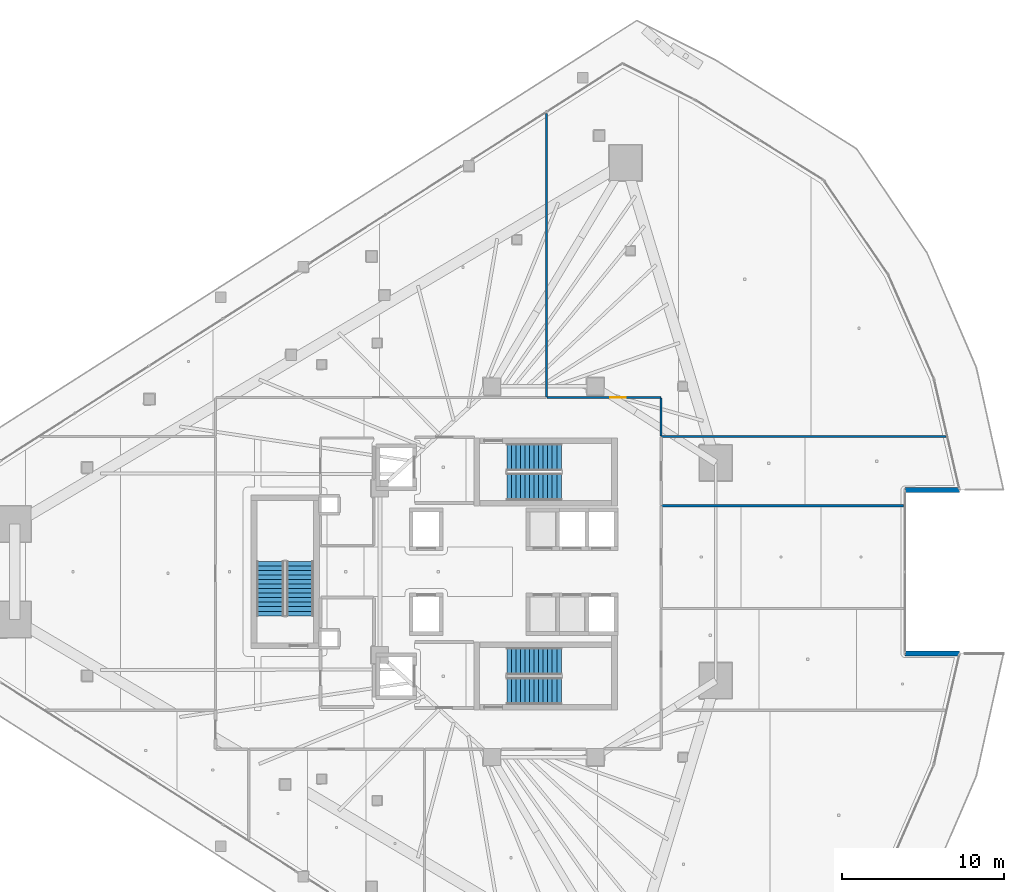
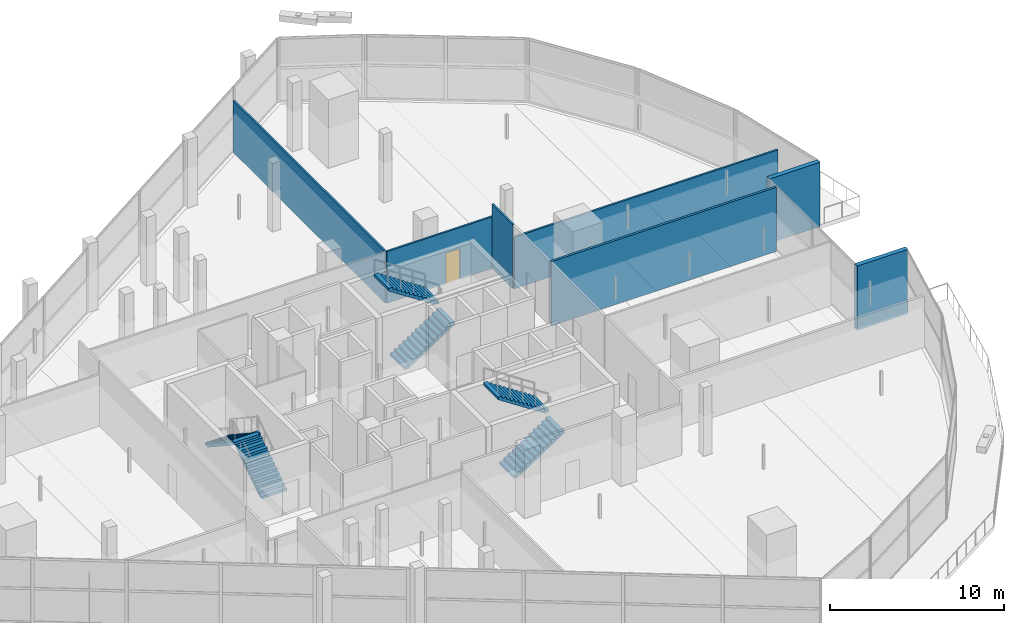
# One storey, part 28 of 42: 7 walls, 6 stair flights, 1 door, 1 opening, 3 elements without a shape of their own.
"""IFC4 building model written with IfcOpenShell, lengths in metres."""

from ifc_helpers import new_model, si_unit, direction, frame, frame_2d, origin, place, context, subcontext, project, spatial, polyline, rectangle, outline, extrude, material, layer, layer_set, type_object, element, fill, aggregate, save


model = new_model("IFC4")

# Units and contexts
model_context = context("Model", 3, precision=1e-05, world=origin(), true_north=direction((0.0, 1.0)))
body_context = subcontext(model_context, "Body", "Model", "MODEL_VIEW")
ifc_project = project(units=[si_unit("LENGTHUNIT", "METRE"), si_unit("AREAUNIT", "SQUARE_METRE"), si_unit("VOLUMEUNIT", "CUBIC_METRE"), si_unit("PLANEANGLEUNIT", "RADIAN"), si_unit("MASSUNIT", "GRAM", prefix="KILO")], contexts=[model_context])

# Site, building, storey
site_placement = place(None, origin())
site = spatial("IfcSite", under=ifc_project, at=site_placement, CompositionType="ELEMENT")
building_placement = place(site_placement, origin())
building = spatial("IfcBuilding", under=site, at=building_placement, Name="Qorvath Tower", CompositionType="ELEMENT")
storey_placement = place(building_placement, frame((0.0, 0.0, 105.0)))
storey = spatial("IfcBuildingStorey", under=building, at=storey_placement, Name="L23", CompositionType="ELEMENT", Elevation=105.0)

# Walls
ifc_material_1 = material(Name="Double acoustic gypsum board on steel studs", Category="steel")
ifc_layer_1 = layer(ifc_material_1, 0.159912109375)
ifc_layer_set_1 = layer_set([ifc_layer_1], Name="IW-ACOUSTIC-160")
wall_type_1 = type_object("IfcWallType", Name="IW-ACOUSTIC-160", PredefinedType="PARTITIONING", material=ifc_layer_set_1)
wall_1_placement = place(storey_placement, frame((1.83056640625, 4.068359375, 0.0), z_axis=(0.0, 0.0, 1.0), x_axis=(-1.0, 0.0, 0.0)))
element("IfcWall", 1, at=wall_1_placement, inside=storey, type_object=wall_type_1, Name="Interior Partition IW-T1-L23-038", PredefinedType="PARTITIONING", context=body_context, shape_type="SweptSolid", body=[
    extrude(rectangle(XDim=14.94775390625, YDim=0.159912109375, at=frame_2d((7.473876953125, 0.0))), origin(), (0.0, 0.0, 1.0), 4.52001953125),
])
ifc_material_2 = material(Name="Gypsum board on metal studs with mineral wool", Category="gypsum")
ifc_layer_2 = layer(ifc_material_2, 0.125)
ifc_layer_set_2 = layer_set([ifc_layer_2], Name="IW-PART-125")
wall_type_2 = type_object("IfcWallType", Name="IW-PART-125", PredefinedType="PARTITIONING", material=ifc_layer_set_2)
wall_2_placement = place(storey_placement, frame((-20.233154296875, 10.783203125, 0.0), z_axis=(0.0, 0.0, 1.0), x_axis=(0.0, 1.0, 0.0)))
element("IfcWall", 2, at=wall_2_placement, inside=storey, type_object=wall_type_2, Name="Interior Partition IW-T1-L23-020", PredefinedType="PARTITIONING", context=body_context, shape_type="SweptSolid", body=[
    extrude(rectangle(XDim=17.510498046875, YDim=0.125, at=frame_2d((8.75537109375, 0.0))), origin(), (0.0, 0.0, 1.0), 3.635009765625),
])

# Wall, opening, door
wall_3_placement = place(storey_placement, frame((-20.2001953125, 10.758056640625, 0.0), z_axis=(0.0, 0.0, 1.0), x_axis=(1.0, 0.0, 0.0)))
wall_3 = element("IfcWall", 3, at=wall_3_placement, inside=storey, type_object=wall_type_2, Name="Interior Partition IW-T1-L23-021", PredefinedType="PARTITIONING", context=body_context, shape_type="SweptSolid", body=[
    extrude(rectangle(XDim=7.033203125, YDim=0.125, at=frame_2d((3.5166015625, 0.0))), origin(), (0.0, 0.0, 1.0), 3.635009765625),
])
opening_placement = place(wall_3_placement, frame((3.91064453125, 0.0, 0.0)))
opening = element("IfcOpeningElement", 4, at=opening_placement, cuts=wall_3, Name="Opening D-T1-L23-04", PredefinedType="OPENING", context=body_context, shape_type="SweptSolid", body=[
    extrude(rectangle(XDim=0.949951171875, YDim=2.14990234375, at=frame_2d((0.47509765625, 1.074951171875))), frame((0.0, 0.072509765625, 0.0), z_axis=(0.0, -1.0, 0.0), x_axis=(1.0, 0.0, 0.0)), (0.0, 0.0, 1.0), 0.14501953125),
])
ifc_material_3 = material(Name="Solid-core American white oak veneer", Category="wood")
door_type = type_object("IfcDoorType", Name="D-01", OperationType="NOTDEFINED", PredefinedType="DOOR", material=ifc_material_3)
door_placement = place(opening_placement, origin())
door = element("IfcDoor", 5, at=door_placement, inside=storey, type_object=door_type, Name="L23-02 Sky Staff Refreshment Pantry and Coffee Bar Door D-T1-L23-04", OperationType="SINGLE_SWING_LEFT", OverallHeight=2.14990234375, OverallWidth=0.949951171875, PredefinedType="DOOR", context=body_context, shape_type="SweptSolid", body=[
    extrude(rectangle(XDim=0.949951171875, YDim=2.14990234375, at=frame_2d((0.47509765625, 1.074951171875))), frame((0.0, 0.02490234375, 0.0), z_axis=(0.0, -1.0, 0.0), x_axis=(1.0, 0.0, 0.0)), (0.0, 0.0, 1.0), 0.050048828125),
])
fill(opening, door)

# Walls
wall_4_placement = place(storey_placement, frame((-13.14208984375, 10.733154296875, 0.0), z_axis=(0.0, 0.0, 1.0), x_axis=(0.0, -1.0, 0.0)))
element("IfcWall", 6, at=wall_4_placement, inside=storey, type_object=wall_type_2, Name="Interior Partition IW-T1-L23-022", PredefinedType="PARTITIONING", context=body_context, shape_type="SweptSolid", body=[
    extrude(rectangle(XDim=2.358154296875, YDim=0.125, at=frame_2d((1.17919921875, 0.0))), origin(), (0.0, 0.0, 1.0), 4.52001953125),
])
wall_5_placement = place(storey_placement, frame((-13.1171875, 8.35009765625, 0.0), z_axis=(0.0, 0.0, 1.0), x_axis=(1.0, 0.0, 0.0)))
element("IfcWall", 7, at=wall_5_placement, inside=storey, type_object=wall_type_2, Name="Interior Partition IW-T1-L23-023", PredefinedType="PARTITIONING", context=body_context, shape_type="SweptSolid", body=[
    extrude(rectangle(XDim=17.555908203125, YDim=0.125, at=frame_2d((8.77783203125, 0.0))), origin(), (0.0, 0.0, 1.0), 3.635009765625),
])
ifc_material_4 = material(Name="Precast concrete C45/55", Category="concrete")
ifc_layer_3 = layer(ifc_material_4, 0.300048828125)
ifc_layer_set_3 = layer_set([ifc_layer_3], Name="WL-EW-LOG-300")
wall_type_3 = type_object("IfcWallType", Name="WL-EW-LOG-300", PredefinedType="SOLIDWALL", material=ifc_layer_set_3)
for number, where, z_axis, x_axis, name in (
    (8, (5.280029296875, -5.054443359375, 0.0), (0.0, 0.0, 1.0), (-1.0, 0.0, 0.0), "Tower Precast Loggia Wall L23-8.1"),
    (9, (1.910400390625, 5.054443359375, 0.0), (0.0, 0.0, 1.0), (1.0, 0.0, 0.0), "Tower Precast Loggia Wall L23-10.1"),
):
    element("IfcWall", number, at=place(storey_placement, frame(where, z_axis=z_axis, x_axis=x_axis)), inside=storey, type_object=wall_type_3, Name=name, PredefinedType="SOLIDWALL", context=body_context, shape_type="SweptSolid", body=[
        extrude(rectangle(XDim=3.36962890625, YDim=0.300048828125, at=frame_2d((1.684814453125, 0.0))), origin(), (0.0, 0.0, 1.0), 4.52001953125),
    ])

# Stair, stair flights
ifc_material_5 = material(Name="Concrete C50/60", Category="concrete")
stair_type = type_object("IfcStairType", Name="ST-H480", PredefinedType="HALF_TURN_STAIR", material=ifc_material_5)
stair_1_placement = place(storey_placement, origin())
stair_1 = element("IfcStair", 10, at=stair_1_placement, inside=storey, type_object=stair_type, Name="L23 Tower Exit Stair 1", PredefinedType="HALF_TURN_STAIR")
ifc_material_6 = material(Name="Concrete C50/60", Category="concrete")
ifc_layer_4 = layer(ifc_material_6, 0.14990234375)
ifc_layer_set_4 = layer_set([ifc_layer_4], Name="SF-H480")
stair_flight_type = type_object("IfcStairFlightType", Name="SF-H480", PredefinedType="STRAIGHT", material=ifc_layer_set_4)
stair_flight_1_placement = place(storey_placement, frame((-22.669921875, 5.239990234375, 0.0), z_axis=(0.0, 0.0, 1.0), x_axis=(1.0, 0.0, 0.0)))
stair_flight_1 = element("IfcStairFlight", 11, at=stair_flight_1_placement, type_object=stair_flight_type, Name="TS1 flight 1", NumberOfRisers=13, NumberOfTreads=12, PredefinedType="STRAIGHT", RiserHeight=0.184615385, TreadLength=0.28, context=body_context, shape_type="SweptSolid", body=[
    extrude(outline(polyline([(0.0, 0.0), (0.0, 0.1845703125), (0.280029296875, 0.1845703125), (0.280029296875, 0.369140625), (0.56005859375, 0.369140625), (0.56005859375, 0.553955078125), (0.840087890625, 0.553955078125), (0.840087890625, 0.738525390625), (1.1201171875, 0.738525390625), (1.1201171875, 0.923095703125), (1.39990234375, 0.923095703125), (1.39990234375, 1.107666015625), (1.679931640625, 1.107666015625), (1.679931640625, 1.292236328125), (1.9599609375, 1.292236328125), (1.9599609375, 1.476806640625), (2.239990234375, 1.476806640625), (2.239990234375, 1.66162109375), (2.52001953125, 1.66162109375), (2.52001953125, 1.84619140625), (2.800048828125, 1.84619140625), (2.800048828125, 2.03076171875), (3.080078125, 2.03076171875), (3.080078125, 2.21533203125), (3.360107421875, 2.21533203125), (3.360107421875, 2.39990234375), (3.360107421875, 2.035888671875), (0.272216796875, 0.0), (0.0, 0.0)])), frame((0.0, 0.83984375, 0.0), z_axis=(0.0, -1.0, 0.0), x_axis=(1.0, 0.0, 0.0)), (0.0, 0.0, 1.0), 1.679931640625),
])
stair_flight_2_placement = place(storey_placement, frame((-19.31005859375, 7.070068359375, 2.39990234375), z_axis=(0.0, 0.0, 1.0), x_axis=(-1.0, 0.0, 0.0)))
stair_flight_2 = element("IfcStairFlight", 12, at=stair_flight_2_placement, type_object=stair_flight_type, Name="TS1 flight 2", NumberOfRisers=13, NumberOfTreads=12, PredefinedType="STRAIGHT", RiserHeight=0.184615385, TreadLength=0.28, context=body_context, shape_type="SweptSolid", body=[
    extrude(outline(polyline([(0.0, 0.0), (0.0, 0.1845703125), (0.280029296875, 0.1845703125), (0.280029296875, 0.369140625), (0.56005859375, 0.369140625), (0.56005859375, 0.553955078125), (0.840087890625, 0.553955078125), (0.840087890625, 0.738525390625), (1.1201171875, 0.738525390625), (1.1201171875, 0.923095703125), (1.39990234375, 0.923095703125), (1.39990234375, 1.107666015625), (1.679931640625, 1.107666015625), (1.679931640625, 1.292236328125), (1.9599609375, 1.292236328125), (1.9599609375, 1.476806640625), (2.239990234375, 1.476806640625), (2.239990234375, 1.66162109375), (2.52001953125, 1.66162109375), (2.52001953125, 1.84619140625), (2.800048828125, 1.84619140625), (2.800048828125, 2.03076171875), (3.080078125, 2.03076171875), (3.080078125, 2.21533203125), (3.360107421875, 2.21533203125), (3.360107421875, 2.39990234375), (3.360107421875, 2.035888671875), (0.272216796875, 0.0), (0.0, 0.0)])), frame((0.0, 0.83984375, 0.0), z_axis=(0.0, -1.0, 0.0), x_axis=(1.0, 0.0, 0.0)), (0.0, 0.0, 1.0), 1.679931640625),
])
aggregate(stair_1, [stair_flight_1, stair_flight_2])

stair_2_placement = place(storey_placement, origin())
stair_2 = element("IfcStair", 13, at=stair_2_placement, inside=storey, type_object=stair_type, Name="L23 Tower Exit Stair 2", PredefinedType="HALF_TURN_STAIR")
stair_flight_3_placement = place(storey_placement, frame((-22.669921875, -7.360107421875, 0.0), z_axis=(0.0, 0.0, 1.0), x_axis=(1.0, 0.0, 0.0)))
stair_flight_3 = element("IfcStairFlight", 14, at=stair_flight_3_placement, type_object=stair_flight_type, Name="TS2 flight 1", NumberOfRisers=13, NumberOfTreads=12, PredefinedType="STRAIGHT", RiserHeight=0.184615385, TreadLength=0.28, context=body_context, shape_type="SweptSolid", body=[
    extrude(outline(polyline([(0.0, 0.0), (0.0, 0.1845703125), (0.280029296875, 0.1845703125), (0.280029296875, 0.369140625), (0.56005859375, 0.369140625), (0.56005859375, 0.553955078125), (0.840087890625, 0.553955078125), (0.840087890625, 0.738525390625), (1.1201171875, 0.738525390625), (1.1201171875, 0.923095703125), (1.39990234375, 0.923095703125), (1.39990234375, 1.107666015625), (1.679931640625, 1.107666015625), (1.679931640625, 1.292236328125), (1.9599609375, 1.292236328125), (1.9599609375, 1.476806640625), (2.239990234375, 1.476806640625), (2.239990234375, 1.66162109375), (2.52001953125, 1.66162109375), (2.52001953125, 1.84619140625), (2.800048828125, 1.84619140625), (2.800048828125, 2.03076171875), (3.080078125, 2.03076171875), (3.080078125, 2.21533203125), (3.360107421875, 2.21533203125), (3.360107421875, 2.39990234375), (3.360107421875, 2.035888671875), (0.272216796875, 0.0), (0.0, 0.0)])), frame((0.0, 0.83984375, 0.0), z_axis=(0.0, -1.0, 0.0), x_axis=(1.0, 0.0, 0.0)), (0.0, 0.0, 1.0), 1.679931640625),
])
stair_flight_4_placement = place(storey_placement, frame((-19.31005859375, -5.530029296875, 2.39990234375), z_axis=(0.0, 0.0, 1.0), x_axis=(-1.0, 0.0, 0.0)))
stair_flight_4 = element("IfcStairFlight", 15, at=stair_flight_4_placement, type_object=stair_flight_type, Name="TS2 flight 2", NumberOfRisers=13, NumberOfTreads=12, PredefinedType="STRAIGHT", RiserHeight=0.184615385, TreadLength=0.28, context=body_context, shape_type="SweptSolid", body=[
    extrude(outline(polyline([(0.0, 0.0), (0.0, 0.1845703125), (0.280029296875, 0.1845703125), (0.280029296875, 0.369140625), (0.56005859375, 0.369140625), (0.56005859375, 0.553955078125), (0.840087890625, 0.553955078125), (0.840087890625, 0.738525390625), (1.1201171875, 0.738525390625), (1.1201171875, 0.923095703125), (1.39990234375, 0.923095703125), (1.39990234375, 1.107666015625), (1.679931640625, 1.107666015625), (1.679931640625, 1.292236328125), (1.9599609375, 1.292236328125), (1.9599609375, 1.476806640625), (2.239990234375, 1.476806640625), (2.239990234375, 1.66162109375), (2.52001953125, 1.66162109375), (2.52001953125, 1.84619140625), (2.800048828125, 1.84619140625), (2.800048828125, 2.03076171875), (3.080078125, 2.03076171875), (3.080078125, 2.21533203125), (3.360107421875, 2.21533203125), (3.360107421875, 2.39990234375), (3.360107421875, 2.035888671875), (0.272216796875, 0.0), (0.0, 0.0)])), frame((0.0, 0.83984375, 0.0), z_axis=(0.0, -1.0, 0.0), x_axis=(1.0, 0.0, 0.0)), (0.0, 0.0, 1.0), 1.679931640625),
])
aggregate(stair_2, [stair_flight_3, stair_flight_4])

stair_3_placement = place(storey_placement, origin())
stair_3 = element("IfcStair", 16, at=stair_3_placement, inside=storey, type_object=stair_type, Name="L23 Tower Exit Stair 3", PredefinedType="HALF_TURN_STAIR")
stair_flight_5_placement = place(storey_placement, frame((-35.43994140625, -2.719970703125, 0.0), z_axis=(0.0, 0.0, 1.0), x_axis=(0.0, 1.0, 0.0)))
stair_flight_5 = element("IfcStairFlight", 17, at=stair_flight_5_placement, type_object=stair_flight_type, Name="TS3 flight 1", NumberOfRisers=13, NumberOfTreads=12, PredefinedType="STRAIGHT", RiserHeight=0.184615385, TreadLength=0.28, context=body_context, shape_type="SweptSolid", body=[
    extrude(outline(polyline([(0.0, 0.0), (0.0, 0.1845703125), (0.280029296875, 0.1845703125), (0.280029296875, 0.369140625), (0.56005859375, 0.369140625), (0.56005859375, 0.553955078125), (0.840087890625, 0.553955078125), (0.840087890625, 0.738525390625), (1.1201171875, 0.738525390625), (1.1201171875, 0.923095703125), (1.39990234375, 0.923095703125), (1.39990234375, 1.107666015625), (1.679931640625, 1.107666015625), (1.679931640625, 1.292236328125), (1.9599609375, 1.292236328125), (1.9599609375, 1.476806640625), (2.239990234375, 1.476806640625), (2.239990234375, 1.66162109375), (2.52001953125, 1.66162109375), (2.52001953125, 1.84619140625), (2.800048828125, 1.84619140625), (2.800048828125, 2.03076171875), (3.080078125, 2.03076171875), (3.080078125, 2.21533203125), (3.360107421875, 2.21533203125), (3.360107421875, 2.39990234375), (3.360107421875, 2.035888671875), (0.272216796875, 0.0), (0.0, 0.0)])), frame((0.0, 0.83984375, 0.0), z_axis=(0.0, -1.0, 0.0), x_axis=(1.0, 0.0, 0.0)), (0.0, 0.0, 1.0), 1.679931640625),
])
stair_flight_6_placement = place(storey_placement, frame((-37.27001953125, 0.639892578125, 2.39990234375), z_axis=(0.0, 0.0, 1.0), x_axis=(0.0, -1.0, 0.0)))
stair_flight_6 = element("IfcStairFlight", 18, at=stair_flight_6_placement, type_object=stair_flight_type, Name="TS3 flight 2", NumberOfRisers=13, NumberOfTreads=12, PredefinedType="STRAIGHT", RiserHeight=0.184615385, TreadLength=0.28, context=body_context, shape_type="SweptSolid", body=[
    extrude(outline(polyline([(0.0, 0.0), (0.0, 0.1845703125), (0.280029296875, 0.1845703125), (0.280029296875, 0.369140625), (0.56005859375, 0.369140625), (0.56005859375, 0.553955078125), (0.840087890625, 0.553955078125), (0.840087890625, 0.738525390625), (1.1201171875, 0.738525390625), (1.1201171875, 0.923095703125), (1.39990234375, 0.923095703125), (1.39990234375, 1.107666015625), (1.679931640625, 1.107666015625), (1.679931640625, 1.292236328125), (1.9599609375, 1.292236328125), (1.9599609375, 1.476806640625), (2.239990234375, 1.476806640625), (2.239990234375, 1.66162109375), (2.52001953125, 1.66162109375), (2.52001953125, 1.84619140625), (2.800048828125, 1.84619140625), (2.800048828125, 2.03076171875), (3.080078125, 2.03076171875), (3.080078125, 2.21533203125), (3.360107421875, 2.21533203125), (3.360107421875, 2.39990234375), (3.360107421875, 2.035888671875), (0.272216796875, 0.0), (0.0, 0.0)])), frame((0.0, 0.83984375, 0.0), z_axis=(0.0, -1.0, 0.0), x_axis=(1.0, 0.0, 0.0)), (0.0, 0.0, 1.0), 1.679931640625),
])
aggregate(stair_3, [stair_flight_5, stair_flight_6])

save(model, "model.ifc")
